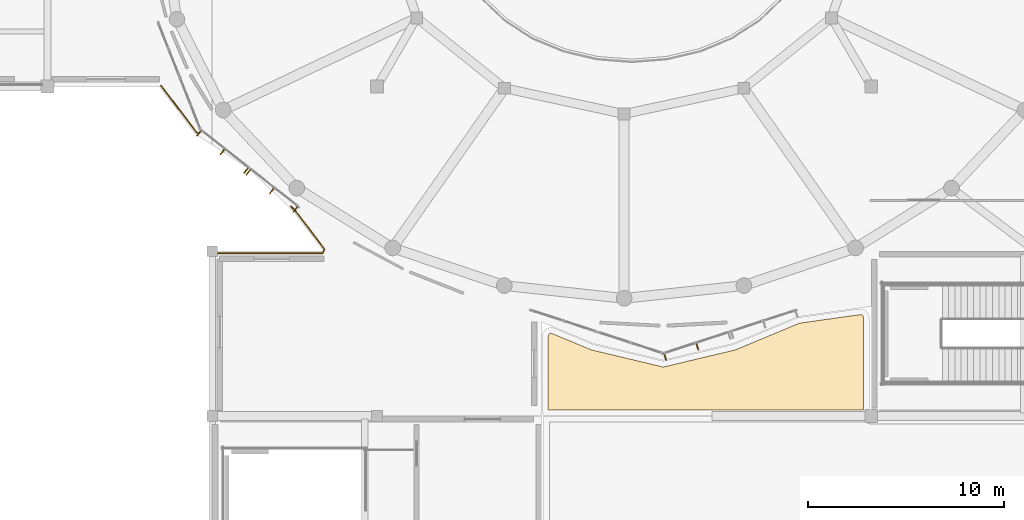
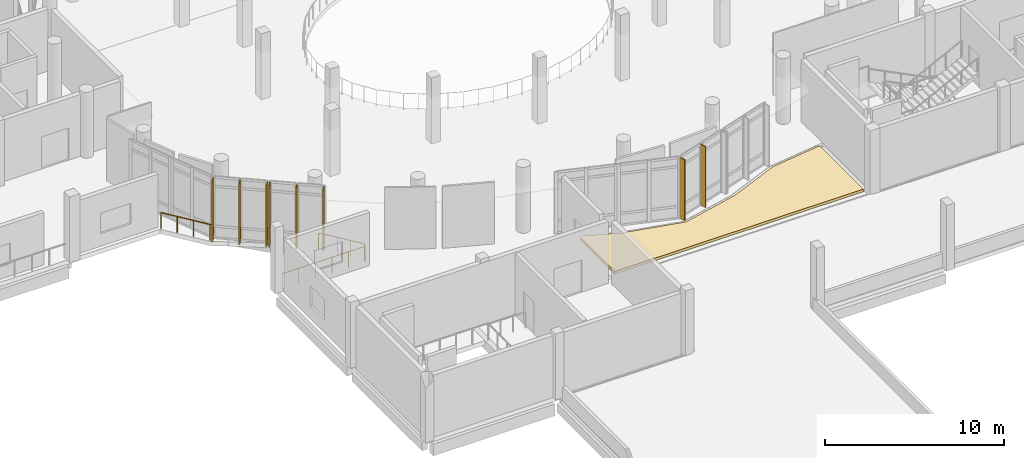
# One storey, part 36 of 46: 8 shading devices, 2 railings, 1 covering.
"""IFC4 building model written with IfcOpenShell, lengths in metres."""

from ifc_helpers import new_model, si_unit, derived_unit, direction, frame, origin, origin_2d, place, context, subcontext, project, spatial, polyline, rectangle, circle, outline, extrude, material, layer, layer_set, type_object, element, save


model = new_model("IFC4")

# Units and contexts
model_context = context("Model", 3, precision=1e-05, world=origin(), true_north=direction((0.0, 1.0)))
body_context = subcontext(model_context, "Body", "Model", "MODEL_VIEW")
ifc_project = project(units=[si_unit("LENGTHUNIT", "METRE"), si_unit("AREAUNIT", "SQUARE_METRE"), si_unit("VOLUMEUNIT", "CUBIC_METRE"), si_unit("PLANEANGLEUNIT", "RADIAN"), si_unit("MASSUNIT", "GRAM", prefix="KILO"), derived_unit("THERMALTRANSMITTANCEUNIT", [(si_unit("POWERUNIT", "WATT"), 1), (si_unit("LENGTHUNIT", "METRE"), -2), (si_unit("THERMODYNAMICTEMPERATUREUNIT", "KELVIN"), -1)])], contexts=[model_context])

# Site, building, storey
site_placement = place(None, origin())
site = spatial("IfcSite", under=ifc_project, at=site_placement, CompositionType="ELEMENT")
building_placement = place(site_placement, origin())
building = spatial("IfcBuilding", under=site, at=building_placement, Name="Elbkamm Science Centre", CompositionType="ELEMENT")
storey_placement = place(building_placement, frame((0.0, 0.0, 9.89990234375)))
storey = spatial("IfcBuildingStorey", under=building, at=storey_placement, Name="L02", CompositionType="ELEMENT", Elevation=9.89990234375)

# Covering
ifc_material_1 = material(Name="EPDM waterproof roofing membrane and mineral wool insulation")
ifc_layer = layer(ifc_material_1, 0.179931640625)
ifc_layer_set = layer_set([ifc_layer], Name="EPDM waterproof roofing membrane and mineral wool insulation")
covering_type = type_object("IfcCoveringType", Name="COV-ROOFING-180", PredefinedType="ROOFING", material=ifc_layer_set)
covering_placement = place(storey_placement, origin())
element("IfcCovering", 1, at=covering_placement, inside=storey, type_object=covering_type, Name="L02 Insulated Roof Membrane Covering 08", PredefinedType="ROOFING", context=body_context, shape_type="SweptSolid", body=[
    extrude(outline(polyline([(59.1298828125, 42.300048828125), (59.1298828125, 46.060791015625), (59.131103515625, 46.082763671875), (59.13330078125, 46.097412109375), (59.136962890625, 46.11181640625), (59.141845703125, 46.12548828125), (59.14794921875, 46.138671875), (59.155517578125, 46.1513671875), (59.164306640625, 46.163330078125), (59.17431640625, 46.174072265625), (59.18505859375, 46.183837890625), (59.19677734375, 46.1923828125), (59.20947265625, 46.2001953125), (59.222900390625, 46.20654296875), (59.23681640625, 46.21142578125), (59.251220703125, 46.215087890625), (59.265869140625, 46.21728515625), (59.280029296875, 46.2177734375), (59.294921875, 46.217041015625), (59.309326171875, 46.21484375), (59.323486328125, 46.211181640625), (59.3447265625, 46.20361328125), (61.3056640625, 45.386962890625), (61.308349609375, 45.3857421875), (61.3125, 45.384033203125), (61.32275390625, 45.38037109375), (61.324951171875, 45.37939453125), (61.340087890625, 45.37451171875), (61.34228515625, 45.373779296875), (61.3583984375, 45.369384765625), (61.36328125, 45.3681640625), (61.364990234375, 45.36767578125), (62.71240234375, 45.04638671875), (64.918212890625, 44.520263671875), (64.919189453125, 44.52001953125), (64.92431640625, 44.518798828125), (64.940185546875, 44.515380859375), (64.943115234375, 44.514892578125), (64.9638671875, 44.511962890625), (64.966552734375, 44.51171875), (64.99853515625, 44.510009765625), (65.00146484375, 44.510009765625), (65.033447265625, 44.51171875), (65.0361328125, 44.511962890625), (65.056884765625, 44.514892578125), (65.059814453125, 44.515380859375), (65.07861328125, 44.51953125), (65.083251953125, 44.5205078125), (68.6337890625, 45.367431640625), (68.63671875, 45.3681640625), (68.65771484375, 45.373779296875), (68.659912109375, 45.37451171875), (68.675048828125, 45.37939453125), (68.67724609375, 45.38037109375), (68.687255859375, 45.384033203125), (68.69189453125, 45.385986328125), (68.69482421875, 45.38720703125), (71.50048828125, 46.555908203125), (71.913818359375, 46.727783203125), (71.931640625, 46.734375), (71.944580078125, 46.738037109375), (71.96337890625, 46.741455078125), (75.021484375, 47.17138671875), (75.044189453125, 47.17333984375), (75.059326171875, 47.173095703125), (75.07421875, 47.17138671875), (75.0888671875, 47.16845703125), (75.103271484375, 47.163818359375), (75.11669921875, 47.15771484375), (75.130126953125, 47.150390625), (75.142333984375, 47.1416015625), (75.153564453125, 47.1318359375), (75.1640625, 47.12060546875), (75.173095703125, 47.10888671875), (75.180908203125, 47.09619140625), (75.187744140625, 47.082275390625), (75.19287109375, 47.068115234375), (75.196533203125, 47.053955078125), (75.198974609375, 47.038818359375), (75.199951171875, 47.016357421875), (75.199951171875, 42.300048828125), (59.1298828125, 42.300048828125)])), origin(), (0.0, 0.0, 1.0), 0.18017578125),
])

# Railings
ifc_material_2 = material(Name="Stainless steel EN 1.4401", Category="steel")
railing_type = type_object("IfcRailingType", Name="RAIL-EXT-GUARD-1100", PredefinedType="GUARDRAIL", material=ifc_material_2)
railing_1_placement = place(storey_placement, frame((42.280029296875, 50.300048828125, 0.0)))
element("IfcRailing", 2, at=railing_1_placement, inside=storey, type_object=railing_type, Name="L02 Slab Edge Perimeter Guard 066", PredefinedType="GUARDRAIL", context=body_context, shape_type="SweptSolid", body=[
    extrude(circle(Radius=0.02392578125, at=origin_2d()), frame((0.0, 0.0, 1.078125), z_axis=(1.0, 0.0, 0.0), x_axis=(0.0, 1.0, 0.0)), (0.0, 0.0, 1.0), 5.321533203125),
    extrude(circle(Radius=0.02392578125, at=origin_2d()), frame((5.3623046875, 0.028076171875, 1.078125), z_axis=(0.358775327996, 0.933423946565, 0.0), x_axis=(-0.933423946565, 0.358775327996, 0.0)), (0.0, 0.0, 1.0), 0.180908203125),
    extrude(circle(Radius=0.02392578125, at=origin_2d()), frame((5.419921875, 0.248779296875, 1.078125), z_axis=(-0.605750061942, 0.795654989588, 0.0), x_axis=(-0.795654989588, -0.605750061942, 0.0)), (0.0, 0.0, 1.0), 2.3994140625),
    extrude(circle(Radius=0.02392578125, at=origin_2d()), frame((3.9267578125, 2.202392578125, 1.078125), z_axis=(-0.718693053969, 0.695327472618, 0.0), x_axis=(-0.695327472618, -0.718693053969, 0.0)), (0.0, 0.0, 1.0), 0.27294921875),
    extrude(circle(Radius=0.02001953125, at=origin_2d()), origin(), (0.0, 0.0, 1.0), 1.048095703125),
    extrude(circle(Radius=0.02001953125, at=origin_2d()), frame((1.0703125, 0.0, 0.0)), (0.0, 0.0, 1.0), 1.048095703125),
    extrude(circle(Radius=0.02001953125, at=origin_2d()), frame((2.140625, 0.0, 0.0)), (0.0, 0.0, 1.0), 1.048095703125),
    extrude(circle(Radius=0.02001953125, at=origin_2d()), frame((3.2109375, 0.0, 0.0)), (0.0, 0.0, 1.0), 1.048095703125),
    extrude(circle(Radius=0.02001953125, at=origin_2d()), frame((4.28125, 0.0, 0.0)), (0.0, 0.0, 1.0), 1.048095703125),
    extrude(circle(Radius=0.02001953125, at=origin_2d()), frame((5.3515625, 0.0, 0.0)), (0.0, 0.0, 1.0), 1.048095703125),
    extrude(circle(Radius=0.02001953125, at=origin_2d()), frame((5.43798828125, 0.224853515625, 0.0)), (0.0, 0.0, 1.0), 1.048095703125),
    extrude(circle(Radius=0.02001953125, at=origin_2d()), frame((4.94140625, 0.877197265625, 0.0)), (0.0, 0.0, 1.0), 1.048095703125),
    extrude(circle(Radius=0.02001953125, at=origin_2d()), frame((4.44482421875, 1.529296875, 0.0)), (0.0, 0.0, 1.0), 1.048095703125),
    extrude(circle(Radius=0.02001953125, at=origin_2d()), frame((3.9482421875, 2.181640625, 0.0)), (0.0, 0.0, 1.0), 1.048095703125),
    extrude(circle(Radius=0.02001953125, at=origin_2d()), frame((3.73046875, 2.392333984375, 0.0)), (0.0, 0.0, 1.0), 1.048095703125),
])
railing_2_placement = place(storey_placement, frame((41.279052734375, 56.421630859375, 0.0)))
element("IfcRailing", 3, at=railing_2_placement, inside=storey, type_object=railing_type, Name="L02 Slab Edge Perimeter Guard 067", PredefinedType="GUARDRAIL", context=body_context, shape_type="SweptSolid", body=[
    extrude(circle(Radius=0.02392578125, at=origin_2d()), frame((0.0, 0.0, 1.078125), z_axis=(-0.835677235969, 0.549220863846, 0.0), x_axis=(-0.549220863846, -0.835677235969, 0.0)), (0.0, 0.0, 1.0), 0.083251953125),
    extrude(circle(Radius=0.02392578125, at=origin_2d()), frame((-0.11279296875, 0.086181640625, 1.078125), z_axis=(-0.603328477735, 0.797492788653, 0.0), x_axis=(-0.797492788653, -0.603328477735, 0.0)), (0.0, 0.0, 1.0), 2.9462890625),
    extrude(circle(Radius=0.02001953125, at=origin_2d()), origin(), (0.0, 0.0, 1.0), 1.048095703125),
    extrude(circle(Radius=0.02001953125, at=origin_2d()), frame((-0.0947265625, 0.062255859375, 0.0)), (0.0, 0.0, 1.0), 1.048095703125),
    extrude(circle(Radius=0.02001953125, at=origin_2d()), frame((-0.693359375, 0.853515625, 0.0)), (0.0, 0.0, 1.0), 1.048095703125),
    extrude(circle(Radius=0.02001953125, at=origin_2d()), frame((-1.291748046875, 1.64453125, 0.0)), (0.0, 0.0, 1.0), 1.048095703125),
    extrude(circle(Radius=0.02001953125, at=origin_2d()), frame((-1.890380859375, 2.435791015625, 0.0)), (0.0, 0.0, 1.0), 1.048095703125),
])

# Shading devices
ifc_material_3 = material(Name="Terracotta-ochre powder-coated aluminium EN AW-6060", Category="masonry")
shading_device_type = type_object("IfcShadingDeviceType", Name="SHD-LOUVRE-420", PredefinedType="USERDEFINED", material=ifc_material_3)
for number, where, z_axis, x_axis, name in (
    (4, (41.3251953125, 56.41015625, 0.000244140625), (0.0, 0.0, 1.0), (-0.618220471355, -0.786004738407, 0.0), "L02 Brise-Soleil Sunshade Fin 0060"),
    (5, (42.52587890625, 55.465576171875, 0.000244140625), (0.0, 0.0, 1.0), (-0.618220471355, -0.786004738407, 0.0), "L02 Brise-Soleil Sunshade Fin 0061"),
    (6, (43.7265625, 54.521240234375, 0.000244140625), (0.0, 0.0, 1.0), (-0.618220471355, -0.786004738407, 0.0), "L02 Brise-Soleil Sunshade Fin 0062"),
    (7, (43.844482421875, 54.428466796875, 0.000244140625), (0.0, 0.0, 1.0), (-0.618220471355, -0.786004738407, 0.0), "L02 Brise-Soleil Sunshade Fin 0063"),
    (8, (45.04541015625, 53.48388671875, 0.000244140625), (0.0, 0.0, 1.0), (-0.618220471355, -0.786004738407, 0.0), "L02 Brise-Soleil Sunshade Fin 0064"),
    (9, (46.24609375, 52.53955078125, 0.000244140625), (0.0, 0.0, 1.0), (-0.618220471355, -0.786004738407, 0.0), "L02 Brise-Soleil Sunshade Fin 0065"),
    (10, (65.09375, 45.015380859375, 0.000244140625), (0.0, 0.0, 1.0), (0.310367846164, -0.950616536816, 0.0), "L02 Brise-Soleil Sunshade Fin 0066"),
    (11, (66.731201171875, 45.550048828125, 0.000244140625), (0.0, 0.0, 1.0), (0.310367846164, -0.950616536816, 0.0), "L02 Brise-Soleil Sunshade Fin 0067"),
):
    element("IfcShadingDevice", number, at=place(storey_placement, frame(where, z_axis=z_axis, x_axis=x_axis)), inside=storey, type_object=shading_device_type, Name=name, ObjectType="LOUVRE", PredefinedType="USERDEFINED", context=body_context, shape_type="SweptSolid", body=[
        extrude(rectangle(XDim=0.35009765625, YDim=0.050048828125, at=origin_2d()), origin(), (0.0, 0.0, 1.0), 4.169921875),
    ])

save(model, "model.ifc")
